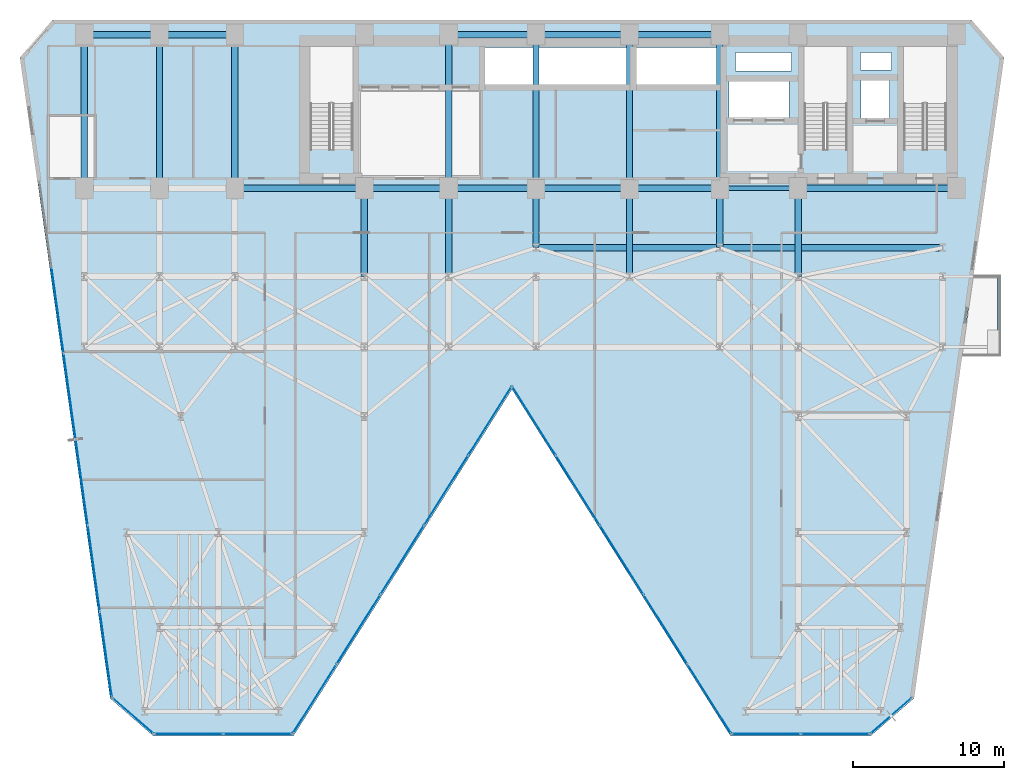
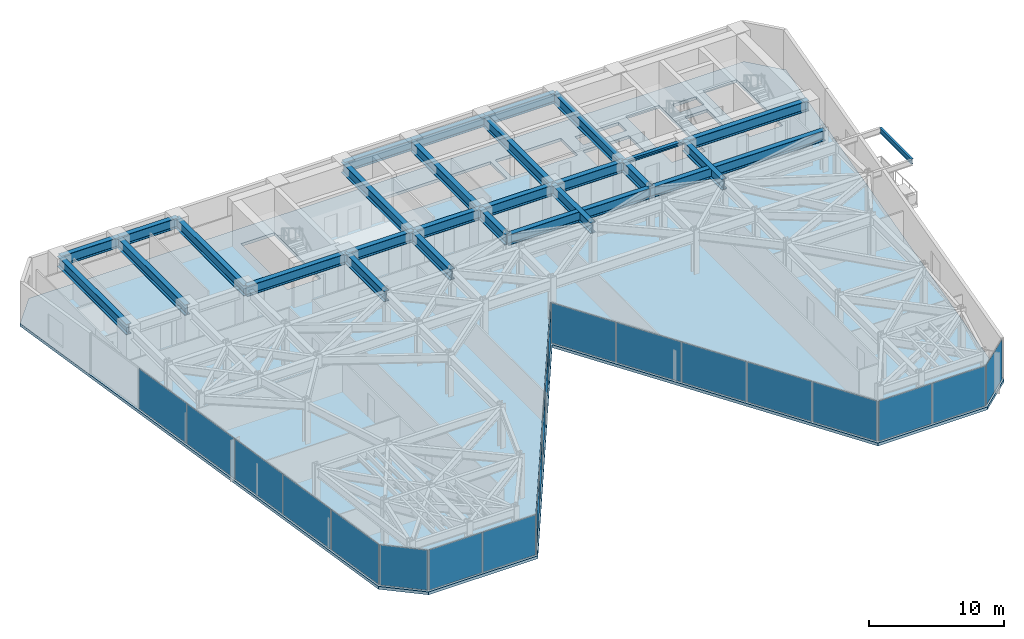
# One storey, part 18 of 25: 28 beams, 21 plates, 1 slab, 7 elements without a shape of their own.
"""IFC4 building model written with IfcOpenShell, lengths in metres."""

from ifc_helpers import new_model, si_unit, direction, frame, origin, origin_2d, place, context, subcontext, project, spatial, polyline, rectangle, i_section, outline, extrude, material, layer, layer_set, material_profile, profile_set, type_object, element, aggregate, save


model = new_model("IFC4")

# Units and contexts
model_context = context("Model", 3, precision=1e-05, world=origin(), true_north=direction((0.0, 1.0)))
body_context = subcontext(model_context, "Body", "Model", "MODEL_VIEW")
ifc_project = project(units=[si_unit("LENGTHUNIT", "METRE"), si_unit("AREAUNIT", "SQUARE_METRE"), si_unit("VOLUMEUNIT", "CUBIC_METRE"), si_unit("PLANEANGLEUNIT", "RADIAN"), si_unit("MASSUNIT", "GRAM", prefix="KILO")], contexts=[model_context])

# Site, building, storey
site_placement = place(None, origin())
site = spatial("IfcSite", under=ifc_project, at=site_placement, CompositionType="ELEMENT")
building_placement = place(site_placement, origin())
building = spatial("IfcBuilding", under=site, at=building_placement, Name="Kravanh Interchange Tower", CompositionType="ELEMENT")
storey_placement = place(building_placement, frame((0.0, 0.0, 33.5)))
storey = spatial("IfcBuildingStorey", under=building, at=storey_placement, Name="L07", CompositionType="ELEMENT", Elevation=33.5)

# Beams
ifc_material_1 = material(Name="Structural Steel S355", Category="steel")
ifc_material_profile_1 = material_profile(ifc_material_1, i_section(OverallWidth=0.41796875, OverallDepth=0.927001953125, WebThickness=0.019287109375, FlangeThickness=0.031982421875, FilletRadius=0.028076171875, at=origin_2d()), Name="W36X231")
ifc_profile_set_1 = profile_set([ifc_material_profile_1], Name="Structural Steel S355")
beam_type_1 = type_object("IfcBeamType", Name="Floor Beam W36X231 Structural Steel S355", PredefinedType="BEAM", material=ifc_profile_set_1)
beam_1_placement = place(storey_placement, frame((66.5, 37.35009765625, 3.276611328125), z_axis=(-1.0, 0.0, 0.0), x_axis=(0.0, -1.0, 0.0)))
element("IfcBeam", 1, at=beam_1_placement, inside=storey, type_object=beam_type_1, Name="L07 Primary Floor Girder 5", PredefinedType="BEAM", context=body_context, shape_type="SweptSolid", body=[
    extrude(i_section(OverallWidth=0.41796875, OverallDepth=0.927001953125, WebThickness=0.019287109375, FlangeThickness=0.031982421875, FilletRadius=0.028076171875, at=origin_2d()), origin(), (0.0, 0.0, 1.0), 10.5),
])
beam_2_placement = place(storey_placement, frame((56.0, 37.35009765625, 3.276611328125), z_axis=(0.0, -1.0, 0.0), x_axis=(1.0, 0.0, 0.0)))
element("IfcBeam", 2, at=beam_2_placement, inside=storey, type_object=beam_type_1, Name="L07 Primary Floor Girder 7", PredefinedType="BEAM", context=body_context, shape_type="SweptSolid", body=[
    extrude(i_section(OverallWidth=0.41796875, OverallDepth=0.927001953125, WebThickness=0.019287109375, FlangeThickness=0.031982421875, FilletRadius=0.028076171875, at=origin_2d()), origin(), (0.0, 0.0, 1.0), 5.85009765625),
])
beam_3_placement = place(storey_placement, frame((50.800048828125, 47.550048828125, 3.276611328125), z_axis=(-1.0, 0.0, 0.0), x_axis=(0.0, -1.0, 0.0)))
element("IfcBeam", 3, at=beam_3_placement, inside=storey, type_object=beam_type_1, Name="L07 Primary Floor Girder 8", PredefinedType="BEAM", context=body_context, shape_type="SweptSolid", body=[
    extrude(i_section(OverallWidth=0.41796875, OverallDepth=0.927001953125, WebThickness=0.019287109375, FlangeThickness=0.031982421875, FilletRadius=0.028076171875, at=origin_2d()), origin(), (0.0, 0.0, 1.0), 6.0),
])
beam_4_placement = place(storey_placement, frame((50.800048828125, 47.550048828125, 3.276611328125), z_axis=(0.0, -1.0, 0.0), x_axis=(1.0, 0.0, 0.0)))
element("IfcBeam", 4, at=beam_4_placement, inside=storey, type_object=beam_type_1, Name="L07 Primary Floor Girder 9", PredefinedType="BEAM", context=body_context, shape_type="SweptSolid", body=[
    extrude(i_section(OverallWidth=0.41796875, OverallDepth=0.927001953125, WebThickness=0.019287109375, FlangeThickness=0.031982421875, FilletRadius=0.028076171875, at=origin_2d()), origin(), (0.0, 0.0, 1.0), 10.199951171875),
])
beam_5_placement = place(storey_placement, frame((50.800048828125, 37.35009765625, 3.276611328125), z_axis=(0.0, -1.0, 0.0), x_axis=(1.0, 0.0, 0.0)))
element("IfcBeam", 5, at=beam_5_placement, inside=storey, type_object=beam_type_1, Name="L07 Primary Floor Girder 10", PredefinedType="BEAM", context=body_context, shape_type="SweptSolid", body=[
    extrude(i_section(OverallWidth=0.41796875, OverallDepth=0.927001953125, WebThickness=0.019287109375, FlangeThickness=0.031982421875, FilletRadius=0.028076171875, at=origin_2d()), origin(), (0.0, 0.0, 1.0), 3.9501953125),
])
beam_6_placement = place(storey_placement, frame((50.800048828125, 37.35009765625, 3.276611328125), z_axis=(-1.0, 0.0, 0.0), x_axis=(0.0, -1.0, 0.0)))
element("IfcBeam", 6, at=beam_6_placement, inside=storey, type_object=beam_type_1, Name="L07 Primary Floor Girder 11", PredefinedType="BEAM", context=body_context, shape_type="SweptSolid", body=[
    extrude(i_section(OverallWidth=0.41796875, OverallDepth=0.927001953125, WebThickness=0.019287109375, FlangeThickness=0.031982421875, FilletRadius=0.028076171875, at=origin_2d()), origin(), (0.0, 0.0, 1.0), 6.0),
])
beam_7_placement = place(storey_placement, frame((44.800048828125, 37.35009765625, 3.276611328125), z_axis=(0.0, -1.0, 0.0), x_axis=(1.0, 0.0, 0.0)))
element("IfcBeam", 7, at=beam_7_placement, inside=storey, type_object=beam_type_1, Name="L07 Primary Floor Girder 12", PredefinedType="BEAM", context=body_context, shape_type="SweptSolid", body=[
    extrude(i_section(OverallWidth=0.41796875, OverallDepth=0.927001953125, WebThickness=0.019287109375, FlangeThickness=0.031982421875, FilletRadius=0.028076171875, at=origin_2d()), origin(), (0.0, 0.0, 1.0), 5.85009765625),
])
beam_8_placement = place(storey_placement, frame((44.800048828125, 37.35009765625, 3.276611328125), z_axis=(-1.0, 0.0, 0.0), x_axis=(0.0, -1.0, 0.0)))
element("IfcBeam", 8, at=beam_8_placement, inside=storey, type_object=beam_type_1, Name="L07 Primary Floor Girder 13", PredefinedType="BEAM", context=body_context, shape_type="SweptSolid", body=[
    extrude(i_section(OverallWidth=0.41796875, OverallDepth=0.927001953125, WebThickness=0.019287109375, FlangeThickness=0.031982421875, FilletRadius=0.028076171875, at=origin_2d()), origin(), (0.0, 0.0, 1.0), 6.199951171875),
])
beam_9_placement = place(storey_placement, frame((44.800048828125, 37.35009765625, 3.276611328125), z_axis=(0.0, 1.0, 0.0), x_axis=(-1.0, 0.0, 0.0)))
element("IfcBeam", 9, at=beam_9_placement, inside=storey, type_object=beam_type_1, Name="L07 Primary Floor Girder 14", PredefinedType="BEAM", context=body_context, shape_type="SweptSolid", body=[
    extrude(i_section(OverallWidth=0.41796875, OverallDepth=0.927001953125, WebThickness=0.019287109375, FlangeThickness=0.031982421875, FilletRadius=0.028076171875, at=origin_2d()), origin(), (0.0, 0.0, 1.0), 10.199951171875),
])
beam_10_placement = place(storey_placement, frame((44.800048828125, 47.550048828125, 3.276611328125), z_axis=(-1.0, 0.0, 0.0), x_axis=(0.0, -1.0, 0.0)))
element("IfcBeam", 10, at=beam_10_placement, inside=storey, type_object=beam_type_1, Name="L07 Primary Floor Girder 15", PredefinedType="BEAM", context=body_context, shape_type="SweptSolid", body=[
    extrude(i_section(OverallWidth=0.41796875, OverallDepth=0.927001953125, WebThickness=0.019287109375, FlangeThickness=0.031982421875, FilletRadius=0.028076171875, at=origin_2d()), origin(), (0.0, 0.0, 1.0), 6.199951171875),
])
beam_11_placement = place(storey_placement, frame((38.60009765625, 37.35009765625, 3.276611328125), z_axis=(0.0, -1.0, 0.0), x_axis=(1.0, 0.0, 0.0)))
element("IfcBeam", 11, at=beam_11_placement, inside=storey, type_object=beam_type_1, Name="L07 Primary Floor Girder 16", PredefinedType="BEAM", context=body_context, shape_type="SweptSolid", body=[
    extrude(i_section(OverallWidth=0.41796875, OverallDepth=0.927001953125, WebThickness=0.019287109375, FlangeThickness=0.031982421875, FilletRadius=0.028076171875, at=origin_2d()), origin(), (0.0, 0.0, 1.0), 3.9501953125),
])
beam_12_placement = place(storey_placement, frame((38.60009765625, 37.35009765625, 3.276611328125), z_axis=(-1.0, 0.0, 0.0), x_axis=(0.0, -1.0, 0.0)))
element("IfcBeam", 12, at=beam_12_placement, inside=storey, type_object=beam_type_1, Name="L07 Primary Floor Girder 17", PredefinedType="BEAM", context=body_context, shape_type="SweptSolid", body=[
    extrude(i_section(OverallWidth=0.41796875, OverallDepth=0.927001953125, WebThickness=0.019287109375, FlangeThickness=0.031982421875, FilletRadius=0.028076171875, at=origin_2d()), origin(), (0.0, 0.0, 1.0), 5.800048828125),
])
beam_13_placement = place(storey_placement, frame((38.60009765625, 37.35009765625, 3.276611328125), z_axis=(0.0, 1.0, 0.0), x_axis=(-1.0, 0.0, 0.0)))
element("IfcBeam", 13, at=beam_13_placement, inside=storey, type_object=beam_type_1, Name="L07 Primary Floor Girder 18", PredefinedType="BEAM", context=body_context, shape_type="SweptSolid", body=[
    extrude(i_section(OverallWidth=0.41796875, OverallDepth=0.927001953125, WebThickness=0.019287109375, FlangeThickness=0.031982421875, FilletRadius=0.028076171875, at=origin_2d()), origin(), (0.0, 0.0, 1.0), 10.199951171875),
])
beam_14_placement = place(storey_placement, frame((38.60009765625, 47.550048828125, 3.276611328125), z_axis=(-1.0, 0.0, 0.0), x_axis=(0.0, -1.0, 0.0)))
element("IfcBeam", 14, at=beam_14_placement, inside=storey, type_object=beam_type_1, Name="L07 Primary Floor Girder 19", PredefinedType="BEAM", context=body_context, shape_type="SweptSolid", body=[
    extrude(i_section(OverallWidth=0.41796875, OverallDepth=0.927001953125, WebThickness=0.019287109375, FlangeThickness=0.031982421875, FilletRadius=0.028076171875, at=origin_2d()), origin(), (0.0, 0.0, 1.0), 5.800048828125),
])
beam_15_placement = place(storey_placement, frame((32.800048828125, 37.35009765625, 3.276611328125), z_axis=(-1.0, 0.0, 0.0), x_axis=(0.0, -1.0, 0.0)))
element("IfcBeam", 15, at=beam_15_placement, inside=storey, type_object=beam_type_1, Name="L07 Primary Floor Girder 20", PredefinedType="BEAM", context=body_context, shape_type="SweptSolid", body=[
    extrude(i_section(OverallWidth=0.41796875, OverallDepth=0.927001953125, WebThickness=0.019287109375, FlangeThickness=0.031982421875, FilletRadius=0.028076171875, at=origin_2d()), origin(), (0.0, 0.0, 1.0), 5.60009765625),
])
beam_16_placement = place(storey_placement, frame((32.800048828125, 37.35009765625, 3.276611328125), z_axis=(0.0, -1.0, 0.0), x_axis=(1.0, 0.0, 0.0)))
element("IfcBeam", 16, at=beam_16_placement, inside=storey, type_object=beam_type_1, Name="L07 Primary Floor Girder 21", PredefinedType="BEAM", context=body_context, shape_type="SweptSolid", body=[
    extrude(i_section(OverallWidth=0.41796875, OverallDepth=0.927001953125, WebThickness=0.019287109375, FlangeThickness=0.031982421875, FilletRadius=0.028076171875, at=origin_2d()), origin(), (0.0, 0.0, 1.0), 5.85009765625),
])
beam_17_placement = place(storey_placement, frame((32.800048828125, 37.35009765625, 3.276611328125), z_axis=(0.0, 1.0, 0.0), x_axis=(-1.0, 0.0, 0.0)))
element("IfcBeam", 17, at=beam_17_placement, inside=storey, type_object=beam_type_1, Name="L07 Primary Floor Girder 22", PredefinedType="BEAM", context=body_context, shape_type="SweptSolid", body=[
    extrude(i_section(OverallWidth=0.41796875, OverallDepth=0.927001953125, WebThickness=0.019287109375, FlangeThickness=0.031982421875, FilletRadius=0.028076171875, at=origin_2d()), origin(), (0.0, 0.0, 1.0), 10.199951171875),
])
beam_18_placement = place(storey_placement, frame((27.199951171875, 37.35009765625, 3.276611328125), z_axis=(0.0, -1.0, 0.0), x_axis=(1.0, 0.0, 0.0)))
element("IfcBeam", 18, at=beam_18_placement, inside=storey, type_object=beam_type_1, Name="L07 Primary Floor Girder 24", PredefinedType="BEAM", context=body_context, shape_type="SweptSolid", body=[
    extrude(i_section(OverallWidth=0.41796875, OverallDepth=0.927001953125, WebThickness=0.019287109375, FlangeThickness=0.031982421875, FilletRadius=0.028076171875, at=origin_2d()), origin(), (0.0, 0.0, 1.0), 5.85009765625),
])
beam_19_placement = place(storey_placement, frame((27.199951171875, 37.35009765625, 3.276611328125), z_axis=(-1.0, 0.0, 0.0), x_axis=(0.0, -1.0, 0.0)))
element("IfcBeam", 19, at=beam_19_placement, inside=storey, type_object=beam_type_1, Name="L07 Primary Floor Girder 25", PredefinedType="BEAM", context=body_context, shape_type="SweptSolid", body=[
    extrude(i_section(OverallWidth=0.41796875, OverallDepth=0.927001953125, WebThickness=0.019287109375, FlangeThickness=0.031982421875, FilletRadius=0.028076171875, at=origin_2d()), origin(), (0.0, 0.0, 1.0), 8.599853515625),
])
beam_20_placement = place(storey_placement, frame((18.60009765625, 37.35009765625, 3.276611328125), z_axis=(0.0, 1.0, 0.0), x_axis=(-1.0, 0.0, 0.0)))
element("IfcBeam", 20, at=beam_20_placement, inside=storey, type_object=beam_type_1, Name="L07 Primary Floor Girder 30", PredefinedType="BEAM", context=body_context, shape_type="SweptSolid", body=[
    extrude(i_section(OverallWidth=0.41796875, OverallDepth=0.927001953125, WebThickness=0.019287109375, FlangeThickness=0.031982421875, FilletRadius=0.028076171875, at=origin_2d()), origin(), (0.0, 0.0, 1.0), 10.199951171875),
])
beam_21_placement = place(storey_placement, frame((18.60009765625, 47.550048828125, 3.276611328125), z_axis=(-1.0, 0.0, 0.0), x_axis=(0.0, -1.0, 0.0)))
element("IfcBeam", 21, at=beam_21_placement, inside=storey, type_object=beam_type_1, Name="L07 Primary Floor Girder 31", PredefinedType="BEAM", context=body_context, shape_type="SweptSolid", body=[
    extrude(i_section(OverallWidth=0.41796875, OverallDepth=0.927001953125, WebThickness=0.019287109375, FlangeThickness=0.031982421875, FilletRadius=0.028076171875, at=origin_2d()), origin(), (0.0, 0.0, 1.0), 5.0),
])
beam_22_placement = place(storey_placement, frame((13.60009765625, 37.35009765625, 3.276611328125), z_axis=(0.0, 1.0, 0.0), x_axis=(-1.0, 0.0, 0.0)))
element("IfcBeam", 22, at=beam_22_placement, inside=storey, type_object=beam_type_1, Name="L07 Primary Floor Girder 34", PredefinedType="BEAM", context=body_context, shape_type="SweptSolid", body=[
    extrude(i_section(OverallWidth=0.41796875, OverallDepth=0.927001953125, WebThickness=0.019287109375, FlangeThickness=0.031982421875, FilletRadius=0.028076171875, at=origin_2d()), origin(), (0.0, 0.0, 1.0), 10.199951171875),
])
beam_23_placement = place(storey_placement, frame((13.60009765625, 47.550048828125, 3.276611328125), z_axis=(-1.0, 0.0, 0.0), x_axis=(0.0, -1.0, 0.0)))
element("IfcBeam", 23, at=beam_23_placement, inside=storey, type_object=beam_type_1, Name="L07 Primary Floor Girder 35", PredefinedType="BEAM", context=body_context, shape_type="SweptSolid", body=[
    extrude(i_section(OverallWidth=0.41796875, OverallDepth=0.927001953125, WebThickness=0.019287109375, FlangeThickness=0.031982421875, FilletRadius=0.028076171875, at=origin_2d()), origin(), (0.0, 0.0, 1.0), 5.0),
])
beam_24_placement = place(storey_placement, frame((8.60009765625, 37.35009765625, 3.276611328125), z_axis=(0.0, 1.0, 0.0), x_axis=(-1.0, 0.0, 0.0)))
element("IfcBeam", 24, at=beam_24_placement, inside=storey, type_object=beam_type_1, Name="L07 Primary Floor Girder 37", PredefinedType="BEAM", context=body_context, shape_type="SweptSolid", body=[
    extrude(i_section(OverallWidth=0.41796875, OverallDepth=0.927001953125, WebThickness=0.019287109375, FlangeThickness=0.031982421875, FilletRadius=0.028076171875, at=origin_2d()), origin(), (0.0, 0.0, 1.0), 10.199951171875),
])
beam_25_placement = place(storey_placement, frame((38.60009765625, 33.39990234375, 3.276611328125), z_axis=(1.0, 0.0, 0.0), x_axis=(0.0, 1.0, 0.0)))
element("IfcBeam", 25, at=beam_25_placement, inside=storey, type_object=beam_type_1, Name="L07 Primary Floor Girder 145", PredefinedType="BEAM", context=body_context, shape_type="SweptSolid", body=[
    extrude(i_section(OverallWidth=0.41796875, OverallDepth=0.927001953125, WebThickness=0.019287109375, FlangeThickness=0.031982421875, FilletRadius=0.028076171875, at=origin_2d()), origin(), (0.0, 0.0, 1.0), 12.199951171875),
])
beam_26_placement = place(storey_placement, frame((50.800048828125, 33.39990234375, 3.276611328125), z_axis=(1.0, 0.0, 0.0), x_axis=(0.0, 1.0, 0.0)))
element("IfcBeam", 26, at=beam_26_placement, inside=storey, type_object=beam_type_1, Name="L07 Primary Floor Girder 146", PredefinedType="BEAM", context=body_context, shape_type="SweptSolid", body=[
    extrude(i_section(OverallWidth=0.41796875, OverallDepth=0.927001953125, WebThickness=0.019287109375, FlangeThickness=0.031982421875, FilletRadius=0.028076171875, at=origin_2d()), origin(), (0.0, 0.0, 1.0), 14.800048828125),
])
ifc_material_2 = material(Name="Structural Steel S355", Category="steel")
ifc_material_profile_2 = material_profile(ifc_material_2, i_section(OverallWidth=0.18994140625, OverallDepth=0.45703125, WebThickness=0.009033203125, FlangeThickness=0.014404296875, FilletRadius=0.01806640625, at=origin_2d()), Name="W18X50")
ifc_profile_set_2 = profile_set([ifc_material_profile_2], Name="Structural Steel S355")
beam_type_2 = type_object("IfcBeamType", Name="Floor Joist W18X50 Structural Steel S355", PredefinedType="JOIST", material=ifc_profile_set_2)
beam_27_placement = place(storey_placement, frame((69.319091796875, 26.800048828125, 3.511474609375), z_axis=(0.0, 1.0, 0.0), x_axis=(-1.0, 0.0, 0.0)))
element("IfcBeam", 27, at=beam_27_placement, inside=storey, type_object=beam_type_2, Name="L07 Balcony Edge Tie Beam E", PredefinedType="JOIST", context=body_context, shape_type="SweptSolid", body=[
    extrude(i_section(OverallWidth=0.18994140625, OverallDepth=0.45703125, WebThickness=0.009033203125, FlangeThickness=0.014404296875, FilletRadius=0.01806640625, at=origin_2d()), origin(), (0.0, 0.0, 1.0), 4.699951171875),
])
ifc_material_3 = material(Name="Structural Steel S355", Category="steel")
ifc_material_profile_3 = material_profile(ifc_material_3, i_section(OverallWidth=0.304931640625, OverallDepth=0.306884765625, WebThickness=0.010009765625, FlangeThickness=0.015380859375, FilletRadius=0.014892578125, at=origin_2d()), Name="W12X65")
ifc_profile_set_3 = profile_set([ifc_material_profile_3], Name="Structural Steel S355")
beam_type_3 = type_object("IfcBeamType", Name="Floor Lintel W12X65 Structural Steel S355", PredefinedType="LINTEL", material=ifc_profile_set_3)
beam_28_placement = place(storey_placement, frame((50.800048828125, 37.35009765625, 3.58642578125), z_axis=(1.0, 0.0, 0.0), x_axis=(0.0, 1.0, 0.0)))
element("IfcBeam", 28, at=beam_28_placement, inside=storey, type_object=beam_type_3, Name="L07 Core Coupling Lintel 1", PredefinedType="LINTEL", context=body_context, shape_type="SweptSolid", body=[
    extrude(i_section(OverallWidth=0.304931640625, OverallDepth=0.306884765625, WebThickness=0.010009765625, FlangeThickness=0.015380859375, FilletRadius=0.014892578125, at=origin_2d()), origin(), (0.0, 0.0, 1.0), 5.199951171875),
])

# Slab
ifc_material_4 = material(Name="Concrete C50/60", Category="concrete")
ifc_layer_1 = layer(ifc_material_4, 0.260009765625)
ifc_layer_set_1 = layer_set([ifc_layer_1], Name="Composite Floor Slab Concrete C50/60 260mm")
slab_type = type_object("IfcSlabType", Name="Composite Floor Slab Concrete C50/60 260mm", PredefinedType="FLOOR", material=ifc_layer_set_1)
slab_placement = place(storey_placement, frame((0.0, 0.0, -0.260009765625)))
element("IfcSlab", 29, at=slab_placement, inside=storey, type_object=slab_type, Name="L07 Structural Floor Slab", PredefinedType="FLOOR", context=body_context, shape_type="SweptSolid", body=[
    extrude(outline(polyline([(10.327880859375, 3.4755859375), (13.17578125, 1.0), (22.5, 1.0), (37.0, 24.0), (51.5, 1.0), (60.82421875, 1.0), (63.672119140625, 3.4755859375), (69.652099609375, 46.0244140625), (67.5, 48.5), (6.5, 48.5), (4.347900390625, 46.0244140625), (10.327880859375, 3.4755859375)]), holes=[polyline([(65.85009765625, 39.925048828125), (65.85009765625, 46.75), (63.0, 46.75), (63.0, 39.925048828125), (65.85009765625, 39.925048828125)]), polyline([(59.25, 39.925048828125), (59.25, 46.75), (56.39990234375, 46.75), (56.39990234375, 39.925048828125), (59.25, 39.925048828125)]), polyline([(26.449951171875, 39.925048828125), (26.449951171875, 46.75), (23.60009765625, 46.75), (23.60009765625, 39.925048828125), (26.449951171875, 39.925048828125)]), polyline([(35.179931640625, 44.219970703125), (44.840087890625, 44.219970703125), (44.840087890625, 46.699951171875), (35.179931640625, 46.699951171875), (35.179931640625, 44.219970703125)]), polyline([(45.239990234375, 44.219970703125), (50.840087890625, 44.219970703125), (50.840087890625, 46.699951171875), (45.239990234375, 46.699951171875), (45.239990234375, 44.219970703125)]), polyline([(51.419921875, 42.02001953125), (55.3798828125, 42.02001953125), (55.3798828125, 44.47998046875), (51.419921875, 44.47998046875), (51.419921875, 42.02001953125)]), polyline([(60.179931640625, 41.97998046875), (62.06005859375, 41.97998046875), (62.06005859375, 44.52001953125), (60.179931640625, 44.52001953125), (60.179931640625, 41.97998046875)]), polyline([(60.14990234375, 45.199951171875), (62.199951171875, 45.199951171875), (62.199951171875, 46.35009765625), (60.14990234375, 46.35009765625), (60.14990234375, 45.199951171875)]), polyline([(51.85009765625, 45.14990234375), (55.550048828125, 45.14990234375), (55.550048828125, 46.35009765625), (51.85009765625, 46.35009765625), (51.85009765625, 45.14990234375)])]), origin(), (0.0, 0.0, 1.0), 0.260009765625),
])

# Curtain wall, plates
ifc_material_5 = material(Name="Anodised Bronze Aluminium", Category="aluminium")
ifc_layer_2 = layer(ifc_material_5, 0.179931640625)
ifc_layer_set_2 = layer_set([ifc_layer_2], Name="Unitised Curtain Wall System CW-Z1 Lower Office")
curtain_wall_type = type_object("IfcCurtainWallType", Name="Unitised Curtain Wall System CW-Z1 Lower Office", PredefinedType="NOTDEFINED", material=ifc_layer_set_2)
curtain_wall_1_placement = place(storey_placement, origin())
curtain_wall_1 = element("IfcCurtainWall", 30, at=curtain_wall_1_placement, inside=storey, type_object=curtain_wall_type, Name="L07 Unitised Curtain Wall CW-L07-01", PredefinedType="NOTDEFINED")
ifc_material_6 = material(Name="Low-E Laminated Architectural Glass", Category="glass")
ifc_layer_3 = layer(ifc_material_6, 0.028076171875)
ifc_layer_set_3 = layer_set([ifc_layer_3], Name="Solar-Control Double Glazing 28mm")
plate_type = type_object("IfcPlateType", Name="Solar-Control Double Glazing 28mm", PredefinedType="CURTAIN_PANEL", material=ifc_layer_set_3)
plate_1_placement = place(storey_placement, frame((10.03662109375, 6.409423828125, 0.06005859375), z_axis=(0.0, 0.0, 1.0), x_axis=(-0.139176538065, 0.990267585682, 0.0)))
plate_1 = element("IfcPlate", 31, at=plate_1_placement, type_object=plate_type, Name="CW-Z1 panel 1.1", PredefinedType="CURTAIN_PANEL", context=body_context, shape_type="SweptSolid", body=[
    extrude(rectangle(XDim=5.66162109375, YDim=0.028076171875, at=origin_2d()), origin(), (0.0, 0.0, 1.0), 3.6201171875),
])
plate_2_placement = place(storey_placement, frame((9.236572265625, 12.1025390625, 0.06005859375), z_axis=(0.0, 0.0, 1.0), x_axis=(-0.139176538065, 0.990267585682, 0.0)))
plate_2 = element("IfcPlate", 32, at=plate_2_placement, type_object=plate_type, Name="CW-Z1 panel 2.1", PredefinedType="CURTAIN_PANEL", context=body_context, shape_type="SweptSolid", body=[
    extrude(rectangle(XDim=5.69677734375, YDim=0.028076171875, at=origin_2d()), origin(), (0.0, 0.0, 1.0), 3.6201171875),
])
plate_3_placement = place(storey_placement, frame((8.433837890625, 17.813232421875, 0.06005859375), z_axis=(0.0, 0.0, 1.0), x_axis=(-0.139176538065, 0.990267585682, 0.0)))
plate_3 = element("IfcPlate", 33, at=plate_3_placement, type_object=plate_type, Name="CW-Z1 panel 3.1", PredefinedType="CURTAIN_PANEL", context=body_context, shape_type="SweptSolid", body=[
    extrude(rectangle(XDim=5.69677734375, YDim=0.028076171875, at=origin_2d()), origin(), (0.0, 0.0, 1.0), 3.6201171875),
])
plate_4_placement = place(storey_placement, frame((7.63134765625, 23.523681640625, 0.06005859375), z_axis=(0.0, 0.0, 1.0), x_axis=(-0.139176538065, 0.990267585682, 0.0)))
plate_4 = element("IfcPlate", 34, at=plate_4_placement, type_object=plate_type, Name="CW-Z1 panel 4.1", PredefinedType="CURTAIN_PANEL", context=body_context, shape_type="SweptSolid", body=[
    extrude(rectangle(XDim=5.69677734375, YDim=0.028076171875, at=origin_2d()), origin(), (0.0, 0.0, 1.0), 3.6201171875),
])
plate_5_placement = place(storey_placement, frame((6.828857421875, 29.234130859375, 0.06005859375), z_axis=(0.0, 0.0, 1.0), x_axis=(-0.139176538065, 0.990267585682, 0.0)))
plate_5 = element("IfcPlate", 35, at=plate_5_placement, type_object=plate_type, Name="CW-Z1 panel 5.1", PredefinedType="CURTAIN_PANEL", context=body_context, shape_type="SweptSolid", body=[
    extrude(rectangle(XDim=5.69677734375, YDim=0.028076171875, at=origin_2d()), origin(), (0.0, 0.0, 1.0), 3.6201171875),
])
aggregate(curtain_wall_1, [plate_1, plate_2, plate_3, plate_4, plate_5])

# Curtain wall, plate
curtain_wall_2_placement = place(storey_placement, origin())
curtain_wall_2 = element("IfcCurtainWall", 36, at=curtain_wall_2_placement, inside=storey, type_object=curtain_wall_type, Name="L07 Unitised Curtain Wall CW-L07-02", PredefinedType="NOTDEFINED")
plate_6_placement = place(storey_placement, frame((62.16943359375, 2.328369140625, 0.06005859375), z_axis=(0.0, 0.0, 1.0), x_axis=(-0.754708368999, -0.656060422341, 0.0)))
plate_6 = element("IfcPlate", 37, at=plate_6_placement, type_object=plate_type, Name="CW-Z1 panel 1.1", PredefinedType="CURTAIN_PANEL", context=body_context, shape_type="SweptSolid", body=[
    extrude(rectangle(XDim=3.543701171875, YDim=0.028076171875, at=origin_2d()), origin(), (0.0, 0.0, 1.0), 3.6201171875),
])
aggregate(curtain_wall_2, [plate_6])

# Curtain wall, plates
curtain_wall_3_placement = place(storey_placement, origin())
curtain_wall_3 = element("IfcCurtainWall", 38, at=curtain_wall_3_placement, inside=storey, type_object=curtain_wall_type, Name="L07 Unitised Curtain Wall CW-L07-03", PredefinedType="NOTDEFINED")
plate_7_placement = place(storey_placement, frame((58.45849609375, 1.1201171875, 0.06005859375), z_axis=(0.0, 0.0, 1.0), x_axis=(-1.0, 0.0, 0.0)))
plate_7 = element("IfcPlate", 39, at=plate_7_placement, type_object=plate_type, Name="CW-Z1 panel 1.1", PredefinedType="CURTAIN_PANEL", context=body_context, shape_type="SweptSolid", body=[
    extrude(rectangle(XDim=4.501708984375, YDim=0.028076171875, at=origin_2d()), origin(), (0.0, 0.0, 1.0), 3.6201171875),
])
plate_8_placement = place(storey_placement, frame((53.886962890625, 1.1201171875, 0.06005859375), z_axis=(0.0, 0.0, 1.0), x_axis=(-1.0, 0.0, 0.0)))
plate_8 = element("IfcPlate", 40, at=plate_8_placement, type_object=plate_type, Name="CW-Z1 panel 2.1", PredefinedType="CURTAIN_PANEL", context=body_context, shape_type="SweptSolid", body=[
    extrude(rectangle(XDim=4.501708984375, YDim=0.028076171875, at=origin_2d()), origin(), (0.0, 0.0, 1.0), 3.6201171875),
])
aggregate(curtain_wall_3, [plate_7, plate_8])

curtain_wall_4_placement = place(storey_placement, origin())
curtain_wall_4 = element("IfcCurtainWall", 41, at=curtain_wall_4_placement, inside=storey, type_object=curtain_wall_type, Name="L07 Unitised Curtain Wall CW-L07-04", PredefinedType="NOTDEFINED")
plate_9_placement = place(storey_placement, frame((50.100341796875, 3.4453125, 0.06005859375), z_axis=(0.0, 0.0, 1.0), x_axis=(-0.53330103728, 0.845925530786, 0.0)))
plate_9 = element("IfcPlate", 42, at=plate_9_placement, type_object=plate_type, Name="CW-Z1 panel 1.1", PredefinedType="CURTAIN_PANEL", context=body_context, shape_type="SweptSolid", body=[
    extrude(rectangle(XDim=5.357666015625, YDim=0.028076171875, at=origin_2d()), origin(), (0.0, 0.0, 1.0), 3.6201171875),
])
plate_10_placement = place(storey_placement, frame((47.1962890625, 8.051513671875, 0.06005859375), z_axis=(0.0, 0.0, 1.0), x_axis=(-0.53330103728, 0.845925530786, 0.0)))
plate_10 = element("IfcPlate", 43, at=plate_10_placement, type_object=plate_type, Name="CW-Z1 panel 2.1", PredefinedType="CURTAIN_PANEL", context=body_context, shape_type="SweptSolid", body=[
    extrude(rectangle(XDim=5.392578125, YDim=0.028076171875, at=origin_2d()), origin(), (0.0, 0.0, 1.0), 3.6201171875),
])
plate_11_placement = place(storey_placement, frame((44.283203125, 12.672607421875, 0.06005859375), z_axis=(0.0, 0.0, 1.0), x_axis=(-0.53330103728, 0.845925530786, 0.0)))
plate_11 = element("IfcPlate", 44, at=plate_11_placement, type_object=plate_type, Name="CW-Z1 panel 3.1", PredefinedType="CURTAIN_PANEL", context=body_context, shape_type="SweptSolid", body=[
    extrude(rectangle(XDim=5.392578125, YDim=0.028076171875, at=origin_2d()), origin(), (0.0, 0.0, 1.0), 3.6201171875),
])
plate_12_placement = place(storey_placement, frame((41.369873046875, 17.29345703125, 0.06005859375), z_axis=(0.0, 0.0, 1.0), x_axis=(-0.53330103728, 0.845925530786, 0.0)))
plate_12 = element("IfcPlate", 45, at=plate_12_placement, type_object=plate_type, Name="CW-Z1 panel 4.1", PredefinedType="CURTAIN_PANEL", context=body_context, shape_type="SweptSolid", body=[
    extrude(rectangle(XDim=5.392578125, YDim=0.028076171875, at=origin_2d()), origin(), (0.0, 0.0, 1.0), 3.6201171875),
])
plate_13_placement = place(storey_placement, frame((38.466064453125, 21.899658203125, 0.06005859375), z_axis=(0.0, 0.0, 1.0), x_axis=(-0.53330103728, 0.845925530786, 0.0)))
plate_13 = element("IfcPlate", 46, at=plate_13_placement, type_object=plate_type, Name="CW-Z1 panel 5.1", PredefinedType="CURTAIN_PANEL", context=body_context, shape_type="SweptSolid", body=[
    extrude(rectangle(XDim=5.357666015625, YDim=0.028076171875, at=origin_2d()), origin(), (0.0, 0.0, 1.0), 3.6201171875),
])
aggregate(curtain_wall_4, [plate_9, plate_10, plate_11, plate_12, plate_13])

curtain_wall_5_placement = place(storey_placement, origin())
curtain_wall_5 = element("IfcCurtainWall", 47, at=curtain_wall_5_placement, inside=storey, type_object=curtain_wall_type, Name="L07 Unitised Curtain Wall CW-L07-05", PredefinedType="NOTDEFINED")
plate_14_placement = place(storey_placement, frame((35.533935546875, 21.899658203125, 0.06005859375), z_axis=(0.0, 0.0, 1.0), x_axis=(-0.53330103728, -0.845925530786, 0.0)))
plate_14 = element("IfcPlate", 48, at=plate_14_placement, type_object=plate_type, Name="CW-Z1 panel 1.1", PredefinedType="CURTAIN_PANEL", context=body_context, shape_type="SweptSolid", body=[
    extrude(rectangle(XDim=5.357666015625, YDim=0.028076171875, at=origin_2d()), origin(), (0.0, 0.0, 1.0), 3.6201171875),
])
plate_15_placement = place(storey_placement, frame((32.630126953125, 17.29345703125, 0.06005859375), z_axis=(0.0, 0.0, 1.0), x_axis=(-0.53330103728, -0.845925530786, 0.0)))
plate_15 = element("IfcPlate", 49, at=plate_15_placement, type_object=plate_type, Name="CW-Z1 panel 2.1", PredefinedType="CURTAIN_PANEL", context=body_context, shape_type="SweptSolid", body=[
    extrude(rectangle(XDim=5.392578125, YDim=0.028076171875, at=origin_2d()), origin(), (0.0, 0.0, 1.0), 3.6201171875),
])
plate_16_placement = place(storey_placement, frame((29.716796875, 12.672607421875, 0.06005859375), z_axis=(0.0, 0.0, 1.0), x_axis=(-0.53330103728, -0.845925530786, 0.0)))
plate_16 = element("IfcPlate", 50, at=plate_16_placement, type_object=plate_type, Name="CW-Z1 panel 3.1", PredefinedType="CURTAIN_PANEL", context=body_context, shape_type="SweptSolid", body=[
    extrude(rectangle(XDim=5.392578125, YDim=0.028076171875, at=origin_2d()), origin(), (0.0, 0.0, 1.0), 3.6201171875),
])
plate_17_placement = place(storey_placement, frame((26.8037109375, 8.051513671875, 0.06005859375), z_axis=(0.0, 0.0, 1.0), x_axis=(-0.53330103728, -0.845925530786, 0.0)))
plate_17 = element("IfcPlate", 51, at=plate_17_placement, type_object=plate_type, Name="CW-Z1 panel 4.1", PredefinedType="CURTAIN_PANEL", context=body_context, shape_type="SweptSolid", body=[
    extrude(rectangle(XDim=5.392578125, YDim=0.028076171875, at=origin_2d()), origin(), (0.0, 0.0, 1.0), 3.6201171875),
])
plate_18_placement = place(storey_placement, frame((23.899658203125, 3.4453125, 0.06005859375), z_axis=(0.0, 0.0, 1.0), x_axis=(-0.53330103728, -0.845925530786, 0.0)))
plate_18 = element("IfcPlate", 52, at=plate_18_placement, type_object=plate_type, Name="CW-Z1 panel 5.1", PredefinedType="CURTAIN_PANEL", context=body_context, shape_type="SweptSolid", body=[
    extrude(rectangle(XDim=5.357666015625, YDim=0.028076171875, at=origin_2d()), origin(), (0.0, 0.0, 1.0), 3.6201171875),
])
aggregate(curtain_wall_5, [plate_14, plate_15, plate_16, plate_17, plate_18])

curtain_wall_6_placement = place(storey_placement, origin())
curtain_wall_6 = element("IfcCurtainWall", 53, at=curtain_wall_6_placement, inside=storey, type_object=curtain_wall_type, Name="L07 Unitised Curtain Wall CW-L07-06", PredefinedType="NOTDEFINED")
plate_19_placement = place(storey_placement, frame((20.113037109375, 1.1201171875, 0.06005859375), z_axis=(0.0, 0.0, 1.0), x_axis=(-1.0, 0.0, 0.0)))
plate_19 = element("IfcPlate", 54, at=plate_19_placement, type_object=plate_type, Name="CW-Z1 panel 1.1", PredefinedType="CURTAIN_PANEL", context=body_context, shape_type="SweptSolid", body=[
    extrude(rectangle(XDim=4.501708984375, YDim=0.028076171875, at=origin_2d()), origin(), (0.0, 0.0, 1.0), 3.6201171875),
])
plate_20_placement = place(storey_placement, frame((15.54150390625, 1.1201171875, 0.06005859375), z_axis=(0.0, 0.0, 1.0), x_axis=(-1.0, 0.0, 0.0)))
plate_20 = element("IfcPlate", 55, at=plate_20_placement, type_object=plate_type, Name="CW-Z1 panel 2.1", PredefinedType="CURTAIN_PANEL", context=body_context, shape_type="SweptSolid", body=[
    extrude(rectangle(XDim=4.501708984375, YDim=0.028076171875, at=origin_2d()), origin(), (0.0, 0.0, 1.0), 3.6201171875),
])
aggregate(curtain_wall_6, [plate_19, plate_20])

# Curtain wall, plate
curtain_wall_7_placement = place(storey_placement, origin())
curtain_wall_7 = element("IfcCurtainWall", 56, at=curtain_wall_7_placement, inside=storey, type_object=curtain_wall_type, Name="L07 Unitised Curtain Wall CW-L07-07", PredefinedType="NOTDEFINED")
plate_21_placement = place(storey_placement, frame((11.83056640625, 2.328369140625, 0.06005859375), z_axis=(0.0, 0.0, 1.0), x_axis=(-0.754708368999, 0.656060422341, 0.0)))
plate_21 = element("IfcPlate", 57, at=plate_21_placement, type_object=plate_type, Name="CW-Z1 panel 1.1", PredefinedType="CURTAIN_PANEL", context=body_context, shape_type="SweptSolid", body=[
    extrude(rectangle(XDim=3.543701171875, YDim=0.028076171875, at=origin_2d()), origin(), (0.0, 0.0, 1.0), 3.6201171875),
])
aggregate(curtain_wall_7, [plate_21])

save(model, "model.ifc")
